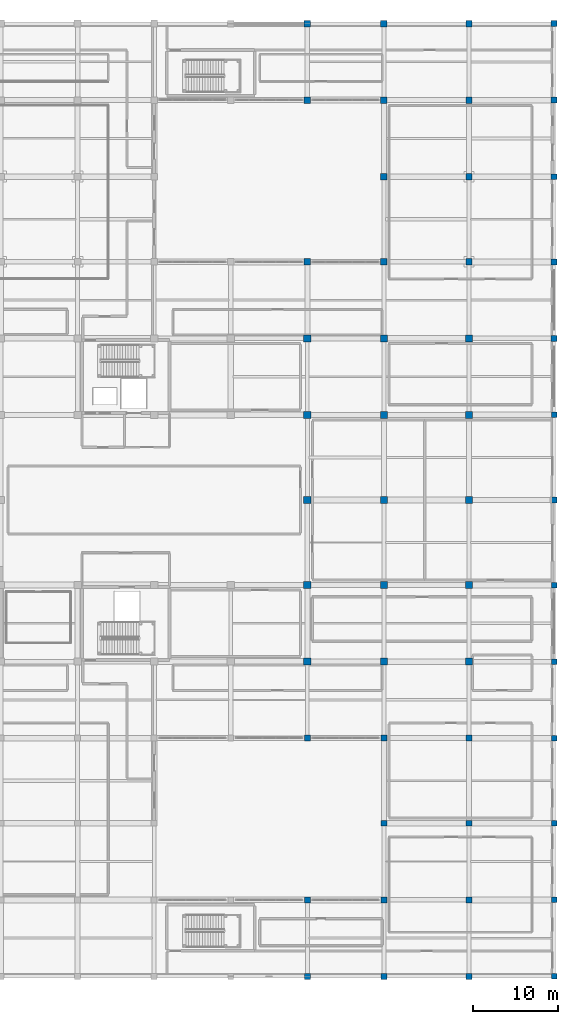
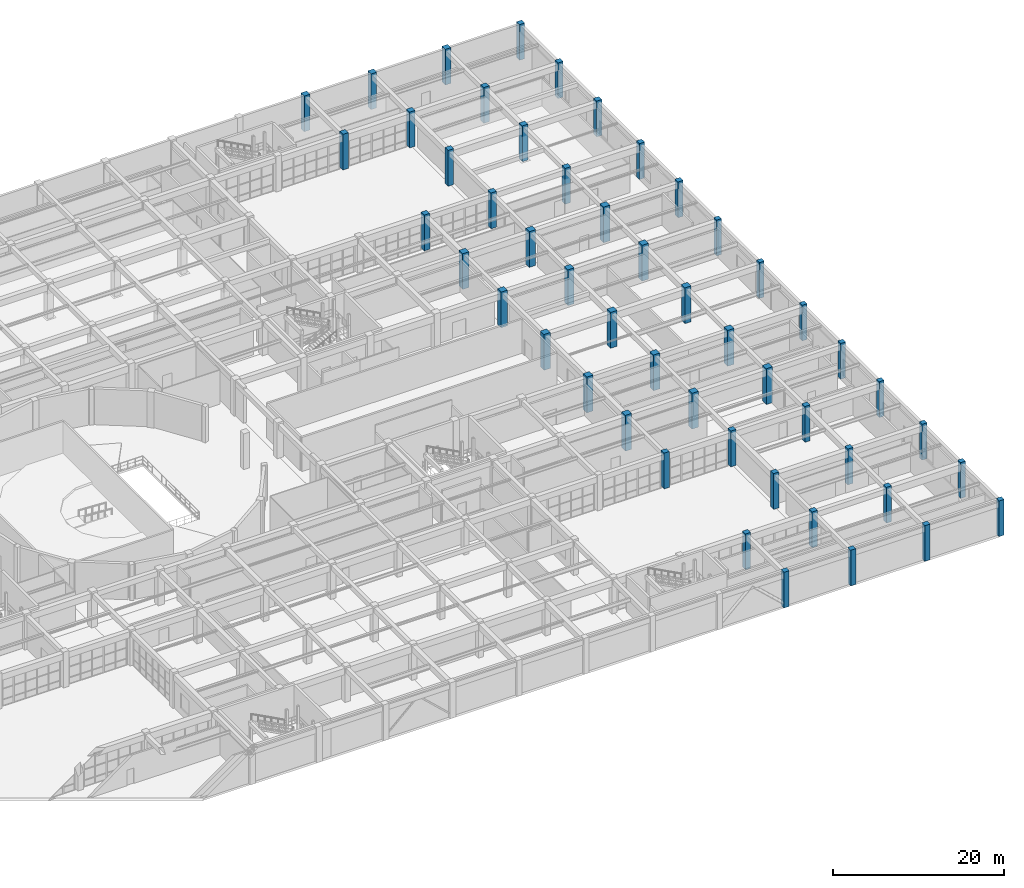
# One storey, part 14 of 128: 50 columns.
"""IFC4 building model written with IfcOpenShell, lengths in metres."""

from ifc_helpers import new_model, si_unit, direction, frame, origin, origin_2d, place, context, subcontext, project, spatial, rectangle, extrude, material, material_profile, profile_set, type_object, element, save


model = new_model("IFC4")

# Units and contexts
model_context = context("Model", 3, precision=1e-05, world=origin(), true_north=direction((0.0, 1.0)))
body_context = subcontext(model_context, "Body", "Model", "MODEL_VIEW")
ifc_project = project(units=[si_unit("LENGTHUNIT", "METRE"), si_unit("AREAUNIT", "SQUARE_METRE"), si_unit("VOLUMEUNIT", "CUBIC_METRE"), si_unit("PLANEANGLEUNIT", "RADIAN"), si_unit("MASSUNIT", "GRAM", prefix="KILO")], contexts=[model_context])

# Site, building, storey
site_placement = place(None, origin())
site = spatial("IfcSite", under=ifc_project, at=site_placement, CompositionType="ELEMENT")
building_placement = place(site_placement, origin())
building = spatial("IfcBuilding", under=site, at=building_placement, Name="Miravela Opera House", CompositionType="ELEMENT")
storey_placement = place(building_placement, origin())
storey = spatial("IfcBuildingStorey", under=building, at=storey_placement, Name="L00", CompositionType="ELEMENT", Elevation=0.0)

# Columns
ifc_material_1 = material(Name="Concrete C35/45", Category="concrete")
ifc_material_profile_1 = material_profile(ifc_material_1, rectangle(XDim=0.64990234375, YDim=0.64990234375, at=origin_2d()), Name="RC-COL-650X650")
ifc_profile_set_1 = profile_set([ifc_material_profile_1])
column_type_1 = type_object("IfcColumnType", Name="STR-COL-RC650", PredefinedType="COLUMN", material=ifc_profile_set_1)
for number, where, z_axis, x_axis, name in (
    (1, (164.0, 0.0, 0.0), (0.0, 0.0, 1.0), (1.0, 0.0, 0.0), "Column C-19A (L00)"),
    (2, (164.0, 9.0, 0.0), (0.0, 0.0, 1.0), (1.0, 0.0, 0.0), "Column C-19B (L00)"),
    (3, (164.0, 18.0, 0.0), (0.0, 0.0, 1.0), (1.0, 0.0, 0.0), "Column C-19C (L00)"),
    (4, (164.0, 28.0, 0.0), (0.0, 0.0, 1.0), (1.0, 0.0, 0.0), "Column C-19D (L00)"),
    (5, (164.0, 37.0, 0.0), (0.0, 0.0, 1.0), (1.0, 0.0, 0.0), "Column C-19E (L00)"),
    (6, (164.0, 46.0, 0.0), (0.0, 0.0, 1.0), (1.0, 0.0, 0.0), "Column C-19F (L00)"),
    (7, (164.0, 56.0, 0.0), (0.0, 0.0, 1.0), (1.0, 0.0, 0.0), "Column C-19G (L00)"),
    (8, (164.0, 66.0, 0.0), (0.0, 0.0, 1.0), (1.0, 0.0, 0.0), "Column C-19H (L00)"),
):
    element("IfcColumn", number, at=place(storey_placement, frame(where, z_axis=z_axis, x_axis=x_axis)), inside=storey, type_object=column_type_1, Name=name, PredefinedType="COLUMN", context=body_context, shape_type="SweptSolid", body=[
        extrude(rectangle(XDim=0.64990234375, YDim=0.64990234375, at=origin_2d()), origin(), (0.0, 0.0, 1.0), 5.10009765625),
    ])
ifc_material_profile_2 = material_profile(ifc_material_1, rectangle(XDim=0.699951171875, YDim=0.699951171875, at=origin_2d()), Name="RC-COL-700X700")
ifc_profile_set_2 = profile_set([ifc_material_profile_2])
column_type_2 = type_object("IfcColumnType", Name="STR-COL-RC700", PredefinedType="COLUMN", material=ifc_profile_set_2)
for number, where, z_axis, x_axis, name in (
    (9, (135.0, 0.0, 0.0), (0.0, 0.0, 1.0), (1.0, 0.0, 0.0), "Column C-16A (L00)"),
    (10, (135.0, 9.0, 0.0), (0.0, 0.0, 1.0), (1.0, 0.0, 0.0), "Column C-16B (L00)"),
    (11, (135.0, 28.0, 0.0), (0.0, 0.0, 1.0), (1.0, 0.0, 0.0), "Column C-16D (L00)"),
    (12, (144.0, 0.0, 0.0), (0.0, 0.0, 1.0), (1.0, 0.0, 0.0), "Column C-17A (L00)"),
    (13, (144.0, 9.0, 0.0), (0.0, 0.0, 1.0), (1.0, 0.0, 0.0), "Column C-17B (L00)"),
    (14, (144.0, 18.0, 0.0), (0.0, 0.0, 1.0), (1.0, 0.0, 0.0), "Column C-17C (L00)"),
    (15, (144.0, 28.0, 0.0), (0.0, 0.0, 1.0), (1.0, 0.0, 0.0), "Column C-17D (L00)"),
    (16, (154.0, 0.0, 0.0), (0.0, 0.0, 1.0), (1.0, 0.0, 0.0), "Column C-18A (L00)"),
    (17, (154.0, 9.0, 0.0), (0.0, 0.0, 1.0), (1.0, 0.0, 0.0), "Column C-18B (L00)"),
    (18, (154.0, 18.0, 0.0), (0.0, 0.0, 1.0), (1.0, 0.0, 0.0), "Column C-18C (L00)"),
    (19, (154.0, 28.0, 0.0), (0.0, 0.0, 1.0), (1.0, 0.0, 0.0), "Column C-18D (L00)"),
    (20, (164.0, 75.0, 0.0), (0.0, 0.0, 1.0), (1.0, 0.0, 0.0), "Column C-19I (L00)"),
    (21, (164.0, 84.0, 0.0), (0.0, 0.0, 1.0), (1.0, 0.0, 0.0), "Column C-19J (L00)"),
    (22, (164.0, 94.0, 0.0), (0.0, 0.0, 1.0), (1.0, 0.0, 0.0), "Column C-19K (L00)"),
    (23, (164.0, 103.0, 0.0), (0.0, 0.0, 1.0), (1.0, 0.0, 0.0), "Column C-19L (L00)"),
    (24, (164.0, 112.0, 0.0), (0.0, 0.0, 1.0), (1.0, 0.0, 0.0), "Column C-19M (L00)"),
):
    element("IfcColumn", number, at=place(storey_placement, frame(where, z_axis=z_axis, x_axis=x_axis)), inside=storey, type_object=column_type_2, Name=name, PredefinedType="COLUMN", context=body_context, shape_type="SweptSolid", body=[
        extrude(rectangle(XDim=0.699951171875, YDim=0.699951171875, at=origin_2d()), origin(), (0.0, 0.0, 1.0), 5.10009765625),
    ])
ifc_material_profile_3 = material_profile(ifc_material_1, rectangle(XDim=0.75, YDim=0.75, at=origin_2d()), Name="RC-COL-750X750")
ifc_profile_set_3 = profile_set([ifc_material_profile_3])
column_type_3 = type_object("IfcColumnType", Name="STR-COL-RC750", PredefinedType="COLUMN", material=ifc_profile_set_3)
for number, where, z_axis, x_axis, name in (
    (25, (135.0, 84.0, 0.0), (0.0, 0.0, 1.0), (1.0, 0.0, 0.0), "Column C-16J (L00)"),
    (26, (135.0, 103.0, 0.0), (0.0, 0.0, 1.0), (1.0, 0.0, 0.0), "Column C-16L (L00)"),
    (27, (135.0, 112.0, 0.0), (0.0, 0.0, 1.0), (1.0, 0.0, 0.0), "Column C-16M (L00)"),
    (28, (144.0, 84.0, 0.0), (0.0, 0.0, 1.0), (1.0, 0.0, 0.0), "Column C-17J (L00)"),
    (29, (144.0, 94.0, 0.0), (0.0, 0.0, 1.0), (1.0, 0.0, 0.0), "Column C-17K (L00)"),
    (30, (144.0, 103.0, 0.0), (0.0, 0.0, 1.0), (1.0, 0.0, 0.0), "Column C-17L (L00)"),
    (31, (144.0, 112.0, 0.0), (0.0, 0.0, 1.0), (1.0, 0.0, 0.0), "Column C-17M (L00)"),
    (32, (154.0, 84.0, 0.0), (0.0, 0.0, 1.0), (1.0, 0.0, 0.0), "Column C-18J (L00)"),
    (33, (154.0, 94.0, 0.0), (0.0, 0.0, 1.0), (1.0, 0.0, 0.0), "Column C-18K (L00)"),
    (34, (154.0, 103.0, 0.0), (0.0, 0.0, 1.0), (1.0, 0.0, 0.0), "Column C-18L (L00)"),
    (35, (154.0, 112.0, 0.0), (0.0, 0.0, 1.0), (1.0, 0.0, 0.0), "Column C-18M (L00)"),
):
    element("IfcColumn", number, at=place(storey_placement, frame(where, z_axis=z_axis, x_axis=x_axis)), inside=storey, type_object=column_type_3, Name=name, PredefinedType="COLUMN", context=body_context, shape_type="SweptSolid", body=[
        extrude(rectangle(XDim=0.75, YDim=0.75, at=origin_2d()), origin(), (0.0, 0.0, 1.0), 5.10009765625),
    ])
ifc_material_2 = material(Name="Concrete C40/50", Category="concrete")
ifc_material_profile_4 = material_profile(ifc_material_2, rectangle(XDim=0.85009765625, YDim=0.85009765625, at=origin_2d()), Name="RC-COL-850X850")
ifc_profile_set_4 = profile_set([ifc_material_profile_4])
column_type_4 = type_object("IfcColumnType", Name="STR-COL-RC850", PredefinedType="COLUMN", material=ifc_profile_set_4)
for number, where, z_axis, x_axis, name in (
    (36, (135.0, 37.0, 0.0), (0.0, 0.0, 1.0), (1.0, 0.0, 0.0), "Column C-16E (L00)"),
    (37, (135.0, 46.0, 0.0), (0.0, 0.0, 1.0), (1.0, 0.0, 0.0), "Column C-16F (L00)"),
    (38, (135.0, 56.0, 0.0), (0.0, 0.0, 1.0), (1.0, 0.0, 0.0), "Column C-16G (L00)"),
    (39, (135.0, 66.0, 0.0), (0.0, 0.0, 1.0), (1.0, 0.0, 0.0), "Column C-16H (L00)"),
    (40, (135.0, 75.0, 0.0), (0.0, 0.0, 1.0), (1.0, 0.0, 0.0), "Column C-16I (L00)"),
    (41, (144.0, 37.0, 0.0), (0.0, 0.0, 1.0), (1.0, 0.0, 0.0), "Column C-17E (L00)"),
    (42, (144.0, 46.0, 0.0), (0.0, 0.0, 1.0), (1.0, 0.0, 0.0), "Column C-17F (L00)"),
    (43, (144.0, 56.0, 0.0), (0.0, 0.0, 1.0), (1.0, 0.0, 0.0), "Column C-17G (L00)"),
    (44, (144.0, 66.0, 0.0), (0.0, 0.0, 1.0), (1.0, 0.0, 0.0), "Column C-17H (L00)"),
    (45, (144.0, 75.0, 0.0), (0.0, 0.0, 1.0), (1.0, 0.0, 0.0), "Column C-17I (L00)"),
    (46, (154.0, 37.0, 0.0), (0.0, 0.0, 1.0), (1.0, 0.0, 0.0), "Column C-18E (L00)"),
    (47, (154.0, 46.0, 0.0), (0.0, 0.0, 1.0), (1.0, 0.0, 0.0), "Column C-18F (L00)"),
    (48, (154.0, 56.0, 0.0), (0.0, 0.0, 1.0), (1.0, 0.0, 0.0), "Column C-18G (L00)"),
    (49, (154.0, 66.0, 0.0), (0.0, 0.0, 1.0), (1.0, 0.0, 0.0), "Column C-18H (L00)"),
    (50, (154.0, 75.0, 0.0), (0.0, 0.0, 1.0), (1.0, 0.0, 0.0), "Column C-18I (L00)"),
):
    element("IfcColumn", number, at=place(storey_placement, frame(where, z_axis=z_axis, x_axis=x_axis)), inside=storey, type_object=column_type_4, Name=name, PredefinedType="COLUMN", context=body_context, shape_type="SweptSolid", body=[
        extrude(rectangle(XDim=0.85009765625, YDim=0.85009765625, at=origin_2d()), origin(), (0.0, 0.0, 1.0), 5.10009765625),
    ])

save(model, "model.ifc")
